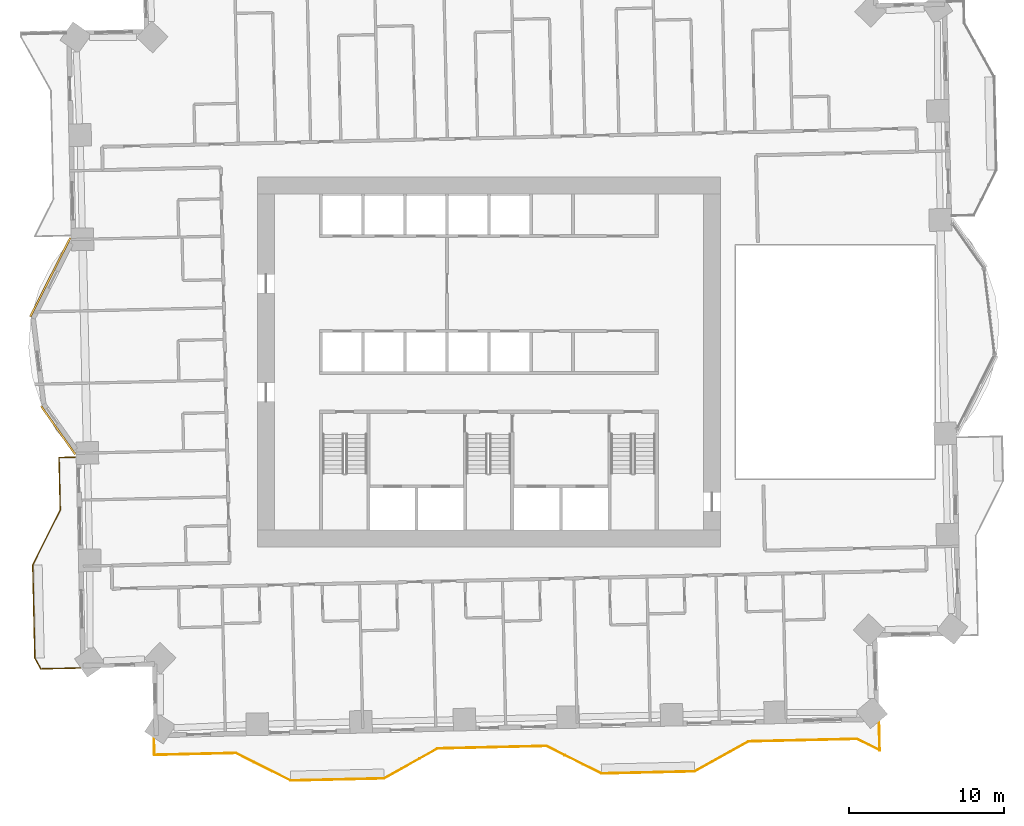
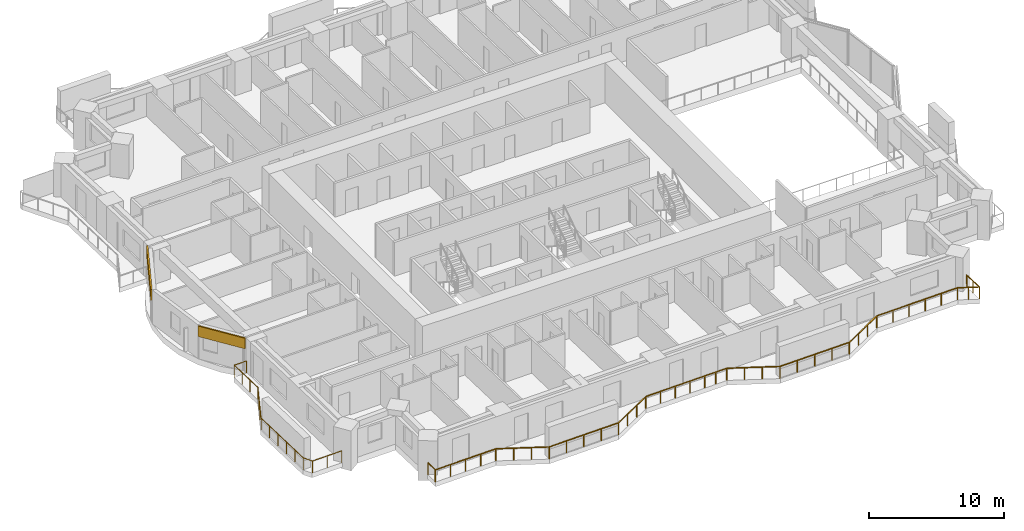
# One storey, part 14 of 17: 2 coverings, 2 railings.
"""IFC4 building model written with IfcOpenShell, lengths in metres."""

from ifc_helpers import new_model, si_unit, direction, frame, frame_2d, origin, origin_2d, place, context, subcontext, project, spatial, rectangle, extrude, material, layer, layer_set, type_object, element, save


model = new_model("IFC4")

# Units and contexts
model_context = context("Model", 3, precision=1e-05, world=origin(), true_north=direction((0.0, 1.0)))
body_context = subcontext(model_context, "Body", "Model", "MODEL_VIEW")
ifc_project = project(units=[si_unit("LENGTHUNIT", "METRE"), si_unit("AREAUNIT", "SQUARE_METRE"), si_unit("VOLUMEUNIT", "CUBIC_METRE"), si_unit("PLANEANGLEUNIT", "RADIAN"), si_unit("MASSUNIT", "GRAM", prefix="KILO")], contexts=[model_context])

# Site, building, storey
site_placement = place(None, origin())
site = spatial("IfcSite", under=ifc_project, at=site_placement, CompositionType="ELEMENT")
building_placement = place(site_placement, origin())
building = spatial("IfcBuilding", under=site, at=building_placement, Name="Mangrove Gate Tower", CompositionType="ELEMENT")
storey_placement = place(building_placement, frame((0.0, 0.0, 82.89990234375)))
storey = spatial("IfcBuildingStorey", under=building, at=storey_placement, Name="L20", CompositionType="ELEMENT", Elevation=82.89990234375)

# Railings
ifc_material_1 = material(Name="Stainless steel grade 316 with laminated glass infill", Category="steel")
railing_type = type_object("IfcRailingType", Name="Balcony guard 1100", PredefinedType="GUARDRAIL", material=ifc_material_1)
railing_1_placement = place(storey_placement, frame((-26.60693359375, -6.116943359375, 0.0)))
element("IfcRailing", 1, at=railing_1_placement, inside=storey, type_object=railing_type, Name="GUARD L20 W2", PredefinedType="GUARDRAIL", context=body_context, shape_type="SweptSolid", body=[
    extrude(rectangle(XDim=0.048095703125, YDim=0.048095703125, at=origin_2d()), frame((0.0, 0.0, 1.076171875), z_axis=(-0.999740168701, -0.022794628443, 0.0), x_axis=(0.022794628443, -0.999740168701, 0.0)), (0.0, 0.0, 1.0), 1.060302734375),
    extrude(rectangle(XDim=0.048095703125, YDim=0.048095703125, at=origin_2d()), frame((-1.06005859375, -0.024169921875, 1.076171875), z_axis=(0.022788783206, -0.999740301958, 0.0), x_axis=(0.999740301958, 0.022788783206, 0.0)), (0.0, 0.0, 1.0), 3.374755859375),
    extrude(rectangle(XDim=0.048095703125, YDim=0.048095703125, at=origin_2d()), frame((-0.983154296875, -3.39794921875, 1.076171875), z_axis=(-0.447114919141, -0.894476522376, 0.0), x_axis=(0.894476522376, -0.447114919141, 0.0)), (0.0, 0.0, 1.0), 3.958740234375),
    extrude(rectangle(XDim=0.048095703125, YDim=0.048095703125, at=origin_2d()), frame((-2.753173828125, -6.93896484375, 1.076171875), z_axis=(0.022662255828, -0.999743178102, 0.0), x_axis=(0.999743178102, 0.022662255828, 0.0)), (0.0, 0.0, 1.0), 6.00048828125),
    extrude(rectangle(XDim=0.048095703125, YDim=0.048095703125, at=origin_2d()), frame((-2.6171875, -12.93798828125, 1.076171875), z_axis=(0.48781444664, -0.872947344145, 0.0), x_axis=(0.872947344145, 0.48781444664, 0.0)), (0.0, 0.0, 1.0), 0.791748046875),
    extrude(rectangle(XDim=0.048095703125, YDim=0.048095703125, at=origin_2d()), frame((-2.23095703125, -13.629150390625, 1.076171875), z_axis=(0.99974692242, 0.022496468876, 0.0), x_axis=(-0.022496468876, 0.99974692242, 0.0)), (0.0, 0.0, 1.0), 2.53955078125),
    extrude(rectangle(XDim=0.0419921875, YDim=0.0419921875, at=origin_2d()), origin(), (0.0, 0.0, 1.0), 1.052001953125),
    extrude(rectangle(XDim=0.0419921875, YDim=0.0419921875, at=origin_2d()), frame((-1.06005859375, -0.024169921875, 0.0)), (0.0, 0.0, 1.0), 1.052001953125),
    extrude(rectangle(XDim=0.0419921875, YDim=0.0419921875, at=origin_2d()), frame((-1.034423828125, -1.148681640625, 0.0)), (0.0, 0.0, 1.0), 1.052001953125),
    extrude(rectangle(XDim=0.0419921875, YDim=0.0419921875, at=origin_2d()), frame((-1.0087890625, -2.2734375, 0.0)), (0.0, 0.0, 1.0), 1.052001953125),
    extrude(rectangle(XDim=0.0419921875, YDim=0.0419921875, at=origin_2d()), frame((-0.983154296875, -3.39794921875, 0.0)), (0.0, 0.0, 1.0), 1.052001953125),
    extrude(rectangle(XDim=0.0419921875, YDim=0.0419921875, at=origin_2d()), frame((-1.5732421875, -4.578369140625, 0.0)), (0.0, 0.0, 1.0), 1.052001953125),
    extrude(rectangle(XDim=0.0419921875, YDim=0.0419921875, at=origin_2d()), frame((-2.1630859375, -5.758544921875, 0.0)), (0.0, 0.0, 1.0), 1.052001953125),
    extrude(rectangle(XDim=0.0419921875, YDim=0.0419921875, at=origin_2d()), frame((-2.753173828125, -6.93896484375, 0.0)), (0.0, 0.0, 1.0), 1.052001953125),
    extrude(rectangle(XDim=0.0419921875, YDim=0.0419921875, at=origin_2d()), frame((-2.72607421875, -8.138671875, 0.0)), (0.0, 0.0, 1.0), 1.052001953125),
    extrude(rectangle(XDim=0.0419921875, YDim=0.0419921875, at=origin_2d()), frame((-2.69873046875, -9.338623046875, 0.0)), (0.0, 0.0, 1.0), 1.052001953125),
    extrude(rectangle(XDim=0.0419921875, YDim=0.0419921875, at=origin_2d()), frame((-2.671630859375, -10.538330078125, 0.0)), (0.0, 0.0, 1.0), 1.052001953125),
    extrude(rectangle(XDim=0.0419921875, YDim=0.0419921875, at=origin_2d()), frame((-2.644287109375, -11.73828125, 0.0)), (0.0, 0.0, 1.0), 1.052001953125),
    extrude(rectangle(XDim=0.0419921875, YDim=0.0419921875, at=origin_2d()), frame((-2.6171875, -12.93798828125, 0.0)), (0.0, 0.0, 1.0), 1.052001953125),
    extrude(rectangle(XDim=0.0419921875, YDim=0.0419921875, at=origin_2d()), frame((-2.23095703125, -13.629150390625, 0.0)), (0.0, 0.0, 1.0), 1.052001953125),
    extrude(rectangle(XDim=0.0419921875, YDim=0.0419921875, at=origin_2d()), frame((-0.96142578125, -13.6005859375, 0.0)), (0.0, 0.0, 1.0), 1.052001953125),
    extrude(rectangle(XDim=0.0419921875, YDim=0.0419921875, at=origin_2d()), frame((0.307861328125, -13.572021484375, 0.0)), (0.0, 0.0, 1.0), 1.052001953125),
])
railing_2_placement = place(storey_placement, frame((-21.554931640625, -24.221923828125, 0.0)))
element("IfcRailing", 2, at=railing_2_placement, inside=storey, type_object=railing_type, Name="GUARD L20 S1", PredefinedType="GUARDRAIL", context=body_context, shape_type="SweptSolid", body=[
    extrude(rectangle(XDim=0.048095703125, YDim=0.048095703125, at=origin_2d()), frame((0.0, 0.0, 1.076171875), z_axis=(0.022564497502, -0.999745389313, 0.0), x_axis=(0.999745389313, 0.022564497502, 0.0)), (0.0, 0.0, 1.0), 1.060302734375),
    extrude(rectangle(XDim=0.048095703125, YDim=0.048095703125, at=origin_2d()), frame((0.02392578125, -1.06005859375, 1.076171875), z_axis=(0.999742196466, 0.022705519269, 0.0), x_axis=(-0.022705519269, 0.999742196466, 0.0)), (0.0, 0.0, 1.0), 5.236572265625),
    extrude(rectangle(XDim=0.048095703125, YDim=0.048095703125, at=origin_2d()), frame((5.259033203125, -0.941162109375, 1.076171875), z_axis=(0.894476522376, -0.447114919141, 0.0), x_axis=(0.447114919141, 0.894476522376, 0.0)), (0.0, 0.0, 1.0), 3.958740234375),
    extrude(rectangle(XDim=0.048095703125, YDim=0.048095703125, at=origin_2d()), frame((8.800048828125, -2.711181640625, 1.076171875), z_axis=(0.999743073592, 0.022666865795, 0.0), x_axis=(-0.022666865795, 0.999743073592, 0.0)), (0.0, 0.0, 1.0), 5.999267578125),
    extrude(rectangle(XDim=0.048095703125, YDim=0.048095703125, at=origin_2d()), frame((14.7978515625, -2.5751953125, 1.076171875), z_axis=(0.873230657876, 0.487307108654, 0.0), x_axis=(-0.487307108654, 0.873230657876, 0.0)), (0.0, 0.0, 1.0), 3.958984375),
    extrude(rectangle(XDim=0.048095703125, YDim=0.048095703125, at=origin_2d()), frame((18.2548828125, -0.64599609375, 1.076171875), z_axis=(0.999741489465, 0.022736627765, 0.0), x_axis=(-0.022736627765, 0.999741489465, 0.0)), (0.0, 0.0, 1.0), 5.100341796875),
    extrude(rectangle(XDim=0.048095703125, YDim=0.048095703125, at=origin_2d()), frame((23.35400390625, -0.530029296875, 1.076171875), z_axis=(0.999744086778, 0.022622134131, 0.0), x_axis=(-0.022622134131, 0.999744086778, 0.0)), (0.0, 0.0, 1.0), 1.8994140625),
    extrude(rectangle(XDim=0.048095703125, YDim=0.048095703125, at=origin_2d()), frame((25.2529296875, -0.487060546875, 1.076171875), z_axis=(0.894525821107, -0.447016280881, 0.0), x_axis=(0.447016280881, 0.894525821107, 0.0)), (0.0, 0.0, 1.0), 3.959716796875),
    extrude(rectangle(XDim=0.048095703125, YDim=0.048095703125, at=origin_2d()), frame((28.794921875, -2.257080078125, 1.076171875), z_axis=(0.999743094499, 0.022665943652, 0.0), x_axis=(-0.022665943652, 0.999743094499, 0.0)), (0.0, 0.0, 1.0), 5.99951171875),
    extrude(rectangle(XDim=0.048095703125, YDim=0.048095703125, at=origin_2d()), frame((34.79296875, -2.12109375, 1.076171875), z_axis=(0.87325689943, 0.48726008209, 0.0), x_axis=(-0.48726008209, 0.87325689943, 0.0)), (0.0, 0.0, 1.0), 3.958740234375),
    extrude(rectangle(XDim=0.048095703125, YDim=0.048095703125, at=origin_2d()), frame((38.25, -0.192138671875, 1.076171875), z_axis=(0.999741403216, 0.022740419861, 0.0), x_axis=(-0.022740419861, 0.999741403216, 0.0)), (0.0, 0.0, 1.0), 6.999755859375),
    extrude(rectangle(XDim=0.048095703125, YDim=0.048095703125, at=origin_2d()), frame((45.248046875, -0.032958984375, 1.076171875), z_axis=(0.894276867128, -0.447514117007, 0.0), x_axis=(0.447514117007, 0.894276867128, 0.0)), (0.0, 0.0, 1.0), 1.624755859375),
    extrude(rectangle(XDim=0.048095703125, YDim=0.048095703125, at=origin_2d()), frame((46.700927734375, -0.760009765625, 1.076171875), z_axis=(-0.022544604135, 0.999745838113, 0.0), x_axis=(-0.999745838113, -0.022544604135, 0.0)), (0.0, 0.0, 1.0), 1.8193359375),
    extrude(rectangle(XDim=0.0419921875, YDim=0.0419921875, at=origin_2d()), origin(), (0.0, 0.0, 1.0), 1.052001953125),
    extrude(rectangle(XDim=0.0419921875, YDim=0.0419921875, at=origin_2d()), frame((0.02392578125, -1.06005859375, 0.0)), (0.0, 0.0, 1.0), 1.052001953125),
    extrude(rectangle(XDim=0.0419921875, YDim=0.0419921875, at=origin_2d()), frame((1.332763671875, -1.0302734375, 0.0)), (0.0, 0.0, 1.0), 1.052001953125),
    extrude(rectangle(XDim=0.0419921875, YDim=0.0419921875, at=origin_2d()), frame((2.6416015625, -1.00048828125, 0.0)), (0.0, 0.0, 1.0), 1.052001953125),
    extrude(rectangle(XDim=0.0419921875, YDim=0.0419921875, at=origin_2d()), frame((3.9501953125, -0.970947265625, 0.0)), (0.0, 0.0, 1.0), 1.052001953125),
    extrude(rectangle(XDim=0.0419921875, YDim=0.0419921875, at=origin_2d()), frame((5.259033203125, -0.941162109375, 0.0)), (0.0, 0.0, 1.0), 1.052001953125),
    extrude(rectangle(XDim=0.0419921875, YDim=0.0419921875, at=origin_2d()), frame((6.439453125, -1.53125, 0.0)), (0.0, 0.0, 1.0), 1.052001953125),
    extrude(rectangle(XDim=0.0419921875, YDim=0.0419921875, at=origin_2d()), frame((7.61962890625, -2.12109375, 0.0)), (0.0, 0.0, 1.0), 1.052001953125),
    extrude(rectangle(XDim=0.0419921875, YDim=0.0419921875, at=origin_2d()), frame((8.800048828125, -2.711181640625, 0.0)), (0.0, 0.0, 1.0), 1.052001953125),
    extrude(rectangle(XDim=0.0419921875, YDim=0.0419921875, at=origin_2d()), frame((10.299560546875, -2.67724609375, 0.0)), (0.0, 0.0, 1.0), 1.052001953125),
    extrude(rectangle(XDim=0.0419921875, YDim=0.0419921875, at=origin_2d()), frame((11.798828125, -2.64306640625, 0.0)), (0.0, 0.0, 1.0), 1.052001953125),
    extrude(rectangle(XDim=0.0419921875, YDim=0.0419921875, at=origin_2d()), frame((13.29833984375, -2.609130859375, 0.0)), (0.0, 0.0, 1.0), 1.052001953125),
    extrude(rectangle(XDim=0.0419921875, YDim=0.0419921875, at=origin_2d()), frame((14.7978515625, -2.5751953125, 0.0)), (0.0, 0.0, 1.0), 1.052001953125),
    extrude(rectangle(XDim=0.0419921875, YDim=0.0419921875, at=origin_2d()), frame((15.9501953125, -1.93212890625, 0.0)), (0.0, 0.0, 1.0), 1.052001953125),
    extrude(rectangle(XDim=0.0419921875, YDim=0.0419921875, at=origin_2d()), frame((17.1025390625, -1.2890625, 0.0)), (0.0, 0.0, 1.0), 1.052001953125),
    extrude(rectangle(XDim=0.0419921875, YDim=0.0419921875, at=origin_2d()), frame((18.2548828125, -0.64599609375, 0.0)), (0.0, 0.0, 1.0), 1.052001953125),
    extrude(rectangle(XDim=0.0419921875, YDim=0.0419921875, at=origin_2d()), frame((19.52978515625, -0.616943359375, 0.0)), (0.0, 0.0, 1.0), 1.052001953125),
    extrude(rectangle(XDim=0.0419921875, YDim=0.0419921875, at=origin_2d()), frame((20.804443359375, -0.587890625, 0.0)), (0.0, 0.0, 1.0), 1.052001953125),
    extrude(rectangle(XDim=0.0419921875, YDim=0.0419921875, at=origin_2d()), frame((22.0791015625, -0.55908203125, 0.0)), (0.0, 0.0, 1.0), 1.052001953125),
    extrude(rectangle(XDim=0.0419921875, YDim=0.0419921875, at=origin_2d()), frame((23.35400390625, -0.530029296875, 0.0)), (0.0, 0.0, 1.0), 1.052001953125),
    extrude(rectangle(XDim=0.0419921875, YDim=0.0419921875, at=origin_2d()), frame((24.303466796875, -0.508544921875, 0.0)), (0.0, 0.0, 1.0), 1.052001953125),
    extrude(rectangle(XDim=0.0419921875, YDim=0.0419921875, at=origin_2d()), frame((25.2529296875, -0.487060546875, 0.0)), (0.0, 0.0, 1.0), 1.052001953125),
    extrude(rectangle(XDim=0.0419921875, YDim=0.0419921875, at=origin_2d()), frame((26.43359375, -1.0771484375, 0.0)), (0.0, 0.0, 1.0), 1.052001953125),
    extrude(rectangle(XDim=0.0419921875, YDim=0.0419921875, at=origin_2d()), frame((27.6142578125, -1.6669921875, 0.0)), (0.0, 0.0, 1.0), 1.052001953125),
    extrude(rectangle(XDim=0.0419921875, YDim=0.0419921875, at=origin_2d()), frame((28.794921875, -2.257080078125, 0.0)), (0.0, 0.0, 1.0), 1.052001953125),
    extrude(rectangle(XDim=0.0419921875, YDim=0.0419921875, at=origin_2d()), frame((30.29443359375, -2.22314453125, 0.0)), (0.0, 0.0, 1.0), 1.052001953125),
    extrude(rectangle(XDim=0.0419921875, YDim=0.0419921875, at=origin_2d()), frame((31.7939453125, -2.18896484375, 0.0)), (0.0, 0.0, 1.0), 1.052001953125),
    extrude(rectangle(XDim=0.0419921875, YDim=0.0419921875, at=origin_2d()), frame((33.29345703125, -2.155029296875, 0.0)), (0.0, 0.0, 1.0), 1.052001953125),
    extrude(rectangle(XDim=0.0419921875, YDim=0.0419921875, at=origin_2d()), frame((34.79296875, -2.12109375, 0.0)), (0.0, 0.0, 1.0), 1.052001953125),
    extrude(rectangle(XDim=0.0419921875, YDim=0.0419921875, at=origin_2d()), frame((35.9453125, -1.47802734375, 0.0)), (0.0, 0.0, 1.0), 1.052001953125),
    extrude(rectangle(XDim=0.0419921875, YDim=0.0419921875, at=origin_2d()), frame((37.09765625, -0.835205078125, 0.0)), (0.0, 0.0, 1.0), 1.052001953125),
    extrude(rectangle(XDim=0.0419921875, YDim=0.0419921875, at=origin_2d()), frame((38.25, -0.192138671875, 0.0)), (0.0, 0.0, 1.0), 1.052001953125),
    extrude(rectangle(XDim=0.0419921875, YDim=0.0419921875, at=origin_2d()), frame((39.649658203125, -0.160400390625, 0.0)), (0.0, 0.0, 1.0), 1.052001953125),
    extrude(rectangle(XDim=0.0419921875, YDim=0.0419921875, at=origin_2d()), frame((41.04931640625, -0.12841796875, 0.0)), (0.0, 0.0, 1.0), 1.052001953125),
    extrude(rectangle(XDim=0.0419921875, YDim=0.0419921875, at=origin_2d()), frame((42.44873046875, -0.0966796875, 0.0)), (0.0, 0.0, 1.0), 1.052001953125),
    extrude(rectangle(XDim=0.0419921875, YDim=0.0419921875, at=origin_2d()), frame((43.848388671875, -0.064697265625, 0.0)), (0.0, 0.0, 1.0), 1.052001953125),
    extrude(rectangle(XDim=0.0419921875, YDim=0.0419921875, at=origin_2d()), frame((45.248046875, -0.032958984375, 0.0)), (0.0, 0.0, 1.0), 1.052001953125),
    extrude(rectangle(XDim=0.0419921875, YDim=0.0419921875, at=origin_2d()), frame((45.974609375, -0.396484375, 0.0)), (0.0, 0.0, 1.0), 1.052001953125),
    extrude(rectangle(XDim=0.0419921875, YDim=0.0419921875, at=origin_2d()), frame((46.700927734375, -0.760009765625, 0.0)), (0.0, 0.0, 1.0), 1.052001953125),
    extrude(rectangle(XDim=0.0419921875, YDim=0.0419921875, at=origin_2d()), frame((46.680419921875, 0.1494140625, 0.0)), (0.0, 0.0, 1.0), 1.052001953125),
    extrude(rectangle(XDim=0.0419921875, YDim=0.0419921875, at=origin_2d()), frame((46.659912109375, 1.058837890625, 0.0)), (0.0, 0.0, 1.0), 1.052001953125),
])

# Coverings
ifc_material_2 = material(Name="Limestone", Category="masonry")
ifc_layer_1 = layer(ifc_material_2, 0.0400390625, Name="Limestone cladding")
ifc_material_3 = material(Name="Stainless steel anchors and cavity", Category="steel")
ifc_layer_2 = layer(ifc_material_3, 0.080078125, Name="Fixing cavity")
ifc_layer_set = layer_set([ifc_layer_1, ifc_layer_2], Name="Joint fascia cladding 120")
covering_type = type_object("IfcCoveringType", Name="Joint fascia cladding 120", PredefinedType="CLADDING", material=ifc_layer_set)
covering_1_placement = place(storey_placement, frame((-26.937255859375, 8.00537109375, 2.10009765625), z_axis=(0.0, 0.0, 1.0), x_axis=(-0.452477241859, -0.891775950337, 0.0)))
element("IfcCovering", 3, at=covering_1_placement, inside=storey, type_object=covering_type, Name="STONE FASCIA L20 W9.L1", PredefinedType="CLADDING", context=body_context, shape_type="SweptSolid", body=[
    extrude(rectangle(XDim=5.705810546875, YDim=0.1201171875, at=frame_2d((2.85302734375, 0.0))), origin(), (0.0, 0.0, 1.0), 0.949951171875),
])
covering_2_placement = place(storey_placement, frame((-28.822998046875, -2.8310546875, 2.10009765625), z_axis=(0.0, 0.0, 1.0), x_axis=(0.578168098379, -0.815917673553, 0.0)))
element("IfcCovering", 4, at=covering_2_placement, inside=storey, type_object=covering_type, Name="STONE FASCIA L20 W9.L2", PredefinedType="CLADDING", context=body_context, shape_type="SweptSolid", body=[
    extrude(rectangle(XDim=3.819091796875, YDim=0.1201171875, at=frame_2d((1.90966796875, 0.0))), origin(), (0.0, 0.0, 1.0), 0.949951171875),
])

save(model, "model.ifc")
